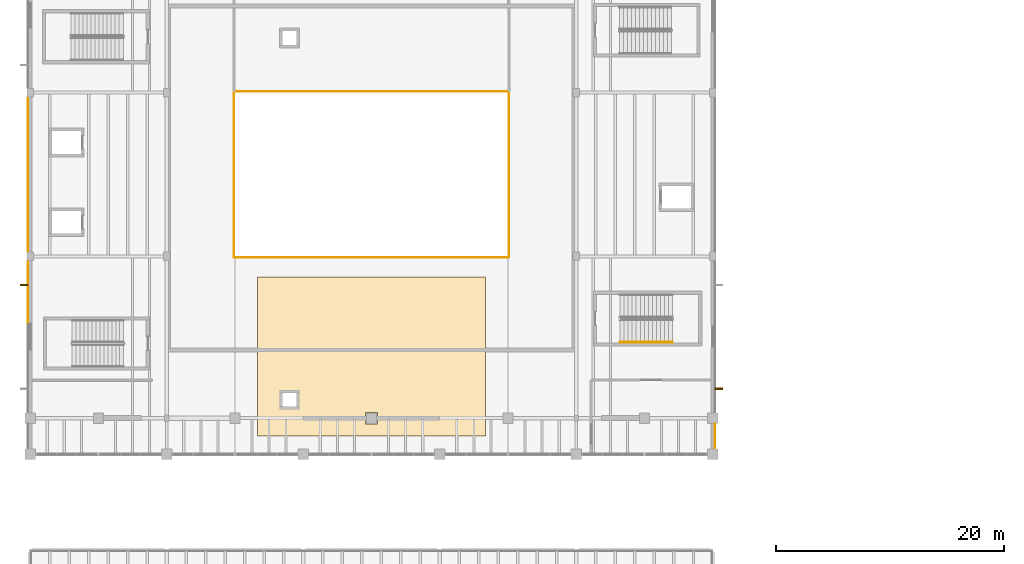
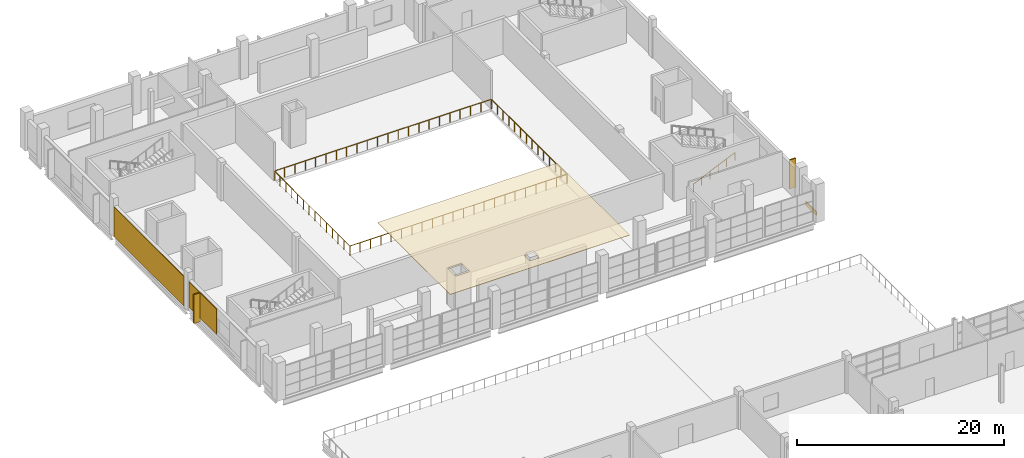
# One storey, part 69 of 78: 6 coverings, 3 railings, 2 shading devices.
"""IFC4 building model written with IfcOpenShell, lengths in metres."""

from ifc_helpers import new_model, si_unit, direction, frame, origin, origin_2d, place, context, subcontext, project, spatial, polyline, rectangle, circle, outline, extrude, material, layer, layer_set, type_object, element, save


model = new_model("IFC4")

# Units and contexts
model_context = context("Model", 3, precision=1e-05, world=origin(), true_north=direction((0.0, 1.0)))
body_context = subcontext(model_context, "Body", "Model", "MODEL_VIEW")
ifc_project = project(units=[si_unit("LENGTHUNIT", "METRE"), si_unit("AREAUNIT", "SQUARE_METRE"), si_unit("VOLUMEUNIT", "CUBIC_METRE"), si_unit("PLANEANGLEUNIT", "RADIAN"), si_unit("MASSUNIT", "GRAM", prefix="KILO")], contexts=[model_context])

# Site, building, storey
site_placement = place(None, origin())
site = spatial("IfcSite", under=ifc_project, at=site_placement, CompositionType="ELEMENT")
building_placement = place(site_placement, origin())
building = spatial("IfcBuilding", under=site, at=building_placement, Name="Kelmvaro Bay Concert Hall", CompositionType="ELEMENT")
storey_placement = place(building_placement, frame((0.0, 0.0, 9.300048828125)))
storey = spatial("IfcBuildingStorey", under=building, at=storey_placement, Name="L02", CompositionType="ELEMENT", Elevation=9.300048828125)

# Railings
ifc_material_1 = material(Name="Architectural Bronze and Laminated Glass", Category="glass")
railing_type_1 = type_object("IfcRailingType", Name="Auditorium Balcony Acoustic Brass Guard 1120", PredefinedType="BALUSTRADE", material=ifc_material_1)
railing_1_placement = place(storey_placement, frame((17.919921875, 82.719970703125, 0.0)))
element("IfcRailing", 1, at=railing_1_placement, inside=storey, type_object=railing_type_1, Name="L02 Balcony Guard 019", PredefinedType="BALUSTRADE", context=body_context, shape_type="SweptSolid", body=[
    extrude(circle(Radius=0.02392578125, at=origin_2d()), frame((0.0, 0.0, 1.09619140625), z_axis=(1.0, 0.0, 0.0), x_axis=(0.0, 1.0, 0.0)), (0.0, 0.0, 1.0), 24.16015625),
    extrude(circle(Radius=0.02392578125, at=origin_2d()), frame((24.16015625, 0.0, 1.09619140625), z_axis=(0.0, 1.0, 0.0), x_axis=(-1.0, 0.0, 0.0)), (0.0, 0.0, 1.0), 14.530029296875),
    extrude(circle(Radius=0.02099609375, at=origin_2d()), origin(), (0.0, 0.0, 1.0), 1.072021484375),
    extrude(circle(Radius=0.02099609375, at=origin_2d()), frame((1.150390625, 0.0, 0.0)), (0.0, 0.0, 1.0), 1.072021484375),
    extrude(circle(Radius=0.02099609375, at=origin_2d()), frame((2.301025390625, 0.0, 0.0)), (0.0, 0.0, 1.0), 1.072021484375),
    extrude(circle(Radius=0.02099609375, at=origin_2d()), frame((3.451416015625, 0.0, 0.0)), (0.0, 0.0, 1.0), 1.072021484375),
    extrude(circle(Radius=0.02099609375, at=origin_2d()), frame((4.60205078125, 0.0, 0.0)), (0.0, 0.0, 1.0), 1.072021484375),
    extrude(circle(Radius=0.02099609375, at=origin_2d()), frame((5.75244140625, 0.0, 0.0)), (0.0, 0.0, 1.0), 1.072021484375),
    extrude(circle(Radius=0.02099609375, at=origin_2d()), frame((6.90283203125, 0.0, 0.0)), (0.0, 0.0, 1.0), 1.072021484375),
    extrude(circle(Radius=0.02099609375, at=origin_2d()), frame((8.053466796875, 0.0, 0.0)), (0.0, 0.0, 1.0), 1.072021484375),
    extrude(circle(Radius=0.02099609375, at=origin_2d()), frame((9.203857421875, 0.0, 0.0)), (0.0, 0.0, 1.0), 1.072021484375),
    extrude(circle(Radius=0.02099609375, at=origin_2d()), frame((10.354248046875, 0.0, 0.0)), (0.0, 0.0, 1.0), 1.072021484375),
    extrude(circle(Radius=0.02099609375, at=origin_2d()), frame((11.5048828125, 0.0, 0.0)), (0.0, 0.0, 1.0), 1.072021484375),
    extrude(circle(Radius=0.02099609375, at=origin_2d()), frame((12.6552734375, 0.0, 0.0)), (0.0, 0.0, 1.0), 1.072021484375),
    extrude(circle(Radius=0.02099609375, at=origin_2d()), frame((13.805908203125, 0.0, 0.0)), (0.0, 0.0, 1.0), 1.072021484375),
    extrude(circle(Radius=0.02099609375, at=origin_2d()), frame((14.956298828125, 0.0, 0.0)), (0.0, 0.0, 1.0), 1.072021484375),
    extrude(circle(Radius=0.02099609375, at=origin_2d()), frame((16.106689453125, 0.0, 0.0)), (0.0, 0.0, 1.0), 1.072021484375),
    extrude(circle(Radius=0.02099609375, at=origin_2d()), frame((17.25732421875, 0.0, 0.0)), (0.0, 0.0, 1.0), 1.072021484375),
    extrude(circle(Radius=0.02099609375, at=origin_2d()), frame((18.40771484375, 0.0, 0.0)), (0.0, 0.0, 1.0), 1.072021484375),
    extrude(circle(Radius=0.02099609375, at=origin_2d()), frame((19.55810546875, 0.0, 0.0)), (0.0, 0.0, 1.0), 1.072021484375),
    extrude(circle(Radius=0.02099609375, at=origin_2d()), frame((20.708740234375, 0.0, 0.0)), (0.0, 0.0, 1.0), 1.072021484375),
    extrude(circle(Radius=0.02099609375, at=origin_2d()), frame((21.859130859375, 0.0, 0.0)), (0.0, 0.0, 1.0), 1.072021484375),
    extrude(circle(Radius=0.02099609375, at=origin_2d()), frame((23.009765625, 0.0, 0.0)), (0.0, 0.0, 1.0), 1.072021484375),
    extrude(circle(Radius=0.02099609375, at=origin_2d()), frame((24.16015625, 0.0, 0.0)), (0.0, 0.0, 1.0), 1.072021484375),
    extrude(circle(Radius=0.02099609375, at=origin_2d()), frame((24.16015625, 1.11767578125, 0.0)), (0.0, 0.0, 1.0), 1.072021484375),
    extrude(circle(Radius=0.02099609375, at=origin_2d()), frame((24.16015625, 2.2353515625, 0.0)), (0.0, 0.0, 1.0), 1.072021484375),
    extrude(circle(Radius=0.02099609375, at=origin_2d()), frame((24.16015625, 3.35302734375, 0.0)), (0.0, 0.0, 1.0), 1.072021484375),
    extrude(circle(Radius=0.02099609375, at=origin_2d()), frame((24.16015625, 4.470703125, 0.0)), (0.0, 0.0, 1.0), 1.072021484375),
    extrude(circle(Radius=0.02099609375, at=origin_2d()), frame((24.16015625, 5.58837890625, 0.0)), (0.0, 0.0, 1.0), 1.072021484375),
    extrude(circle(Radius=0.02099609375, at=origin_2d()), frame((24.16015625, 6.7060546875, 0.0)), (0.0, 0.0, 1.0), 1.072021484375),
    extrude(circle(Radius=0.02099609375, at=origin_2d()), frame((24.16015625, 7.823974609375, 0.0)), (0.0, 0.0, 1.0), 1.072021484375),
    extrude(circle(Radius=0.02099609375, at=origin_2d()), frame((24.16015625, 8.941650390625, 0.0)), (0.0, 0.0, 1.0), 1.072021484375),
    extrude(circle(Radius=0.02099609375, at=origin_2d()), frame((24.16015625, 10.059326171875, 0.0)), (0.0, 0.0, 1.0), 1.072021484375),
    extrude(circle(Radius=0.02099609375, at=origin_2d()), frame((24.16015625, 11.177001953125, 0.0)), (0.0, 0.0, 1.0), 1.072021484375),
    extrude(circle(Radius=0.02099609375, at=origin_2d()), frame((24.16015625, 12.294677734375, 0.0)), (0.0, 0.0, 1.0), 1.072021484375),
    extrude(circle(Radius=0.02099609375, at=origin_2d()), frame((24.16015625, 13.412353515625, 0.0)), (0.0, 0.0, 1.0), 1.072021484375),
    extrude(circle(Radius=0.02099609375, at=origin_2d()), frame((24.16015625, 14.530029296875, 0.0)), (0.0, 0.0, 1.0), 1.072021484375),
])
railing_2_placement = place(storey_placement, frame((42.050048828125, 97.280029296875, 0.0)))
element("IfcRailing", 2, at=railing_2_placement, inside=storey, type_object=railing_type_1, Name="L02 Balcony Guard 020", PredefinedType="BALUSTRADE", context=body_context, shape_type="SweptSolid", body=[
    extrude(circle(Radius=0.02392578125, at=origin_2d()), frame((0.0, 0.0, 1.09619140625), z_axis=(-1.0, 0.0, 0.0), x_axis=(0.0, -1.0, 0.0)), (0.0, 0.0, 1.0), 24.130126953125),
    extrude(circle(Radius=0.02392578125, at=origin_2d()), frame((-24.130126953125, 0.0, 1.09619140625), z_axis=(0.0, -1.0, 0.0), x_axis=(1.0, 0.0, 0.0)), (0.0, 0.0, 1.0), 14.530029296875),
    extrude(circle(Radius=0.02099609375, at=origin_2d()), origin(), (0.0, 0.0, 1.0), 1.072021484375),
    extrude(circle(Radius=0.02099609375, at=origin_2d()), frame((-1.149169921875, 0.0, 0.0)), (0.0, 0.0, 1.0), 1.072021484375),
    extrude(circle(Radius=0.02099609375, at=origin_2d()), frame((-2.298095703125, 0.0, 0.0)), (0.0, 0.0, 1.0), 1.072021484375),
    extrude(circle(Radius=0.02099609375, at=origin_2d()), frame((-3.447265625, 0.0, 0.0)), (0.0, 0.0, 1.0), 1.072021484375),
    extrude(circle(Radius=0.02099609375, at=origin_2d()), frame((-4.59619140625, 0.0, 0.0)), (0.0, 0.0, 1.0), 1.072021484375),
    extrude(circle(Radius=0.02099609375, at=origin_2d()), frame((-5.745361328125, 0.0, 0.0)), (0.0, 0.0, 1.0), 1.072021484375),
    extrude(circle(Radius=0.02099609375, at=origin_2d()), frame((-6.894287109375, 0.0, 0.0)), (0.0, 0.0, 1.0), 1.072021484375),
    extrude(circle(Radius=0.02099609375, at=origin_2d()), frame((-8.04345703125, 0.0, 0.0)), (0.0, 0.0, 1.0), 1.072021484375),
    extrude(circle(Radius=0.02099609375, at=origin_2d()), frame((-9.1923828125, 0.0, 0.0)), (0.0, 0.0, 1.0), 1.072021484375),
    extrude(circle(Radius=0.02099609375, at=origin_2d()), frame((-10.341552734375, 0.0, 0.0)), (0.0, 0.0, 1.0), 1.072021484375),
    extrude(circle(Radius=0.02099609375, at=origin_2d()), frame((-11.490478515625, 0.0, 0.0)), (0.0, 0.0, 1.0), 1.072021484375),
    extrude(circle(Radius=0.02099609375, at=origin_2d()), frame((-12.6396484375, 0.0, 0.0)), (0.0, 0.0, 1.0), 1.072021484375),
    extrude(circle(Radius=0.02099609375, at=origin_2d()), frame((-13.78857421875, 0.0, 0.0)), (0.0, 0.0, 1.0), 1.072021484375),
    extrude(circle(Radius=0.02099609375, at=origin_2d()), frame((-14.937744140625, 0.0, 0.0)), (0.0, 0.0, 1.0), 1.072021484375),
    extrude(circle(Radius=0.02099609375, at=origin_2d()), frame((-16.086669921875, 0.0, 0.0)), (0.0, 0.0, 1.0), 1.072021484375),
    extrude(circle(Radius=0.02099609375, at=origin_2d()), frame((-17.23583984375, 0.0, 0.0)), (0.0, 0.0, 1.0), 1.072021484375),
    extrude(circle(Radius=0.02099609375, at=origin_2d()), frame((-18.384765625, 0.0, 0.0)), (0.0, 0.0, 1.0), 1.072021484375),
    extrude(circle(Radius=0.02099609375, at=origin_2d()), frame((-19.533935546875, 0.0, 0.0)), (0.0, 0.0, 1.0), 1.072021484375),
    extrude(circle(Radius=0.02099609375, at=origin_2d()), frame((-20.682861328125, 0.0, 0.0)), (0.0, 0.0, 1.0), 1.072021484375),
    extrude(circle(Radius=0.02099609375, at=origin_2d()), frame((-21.83203125, 0.0, 0.0)), (0.0, 0.0, 1.0), 1.072021484375),
    extrude(circle(Radius=0.02099609375, at=origin_2d()), frame((-22.98095703125, 0.0, 0.0)), (0.0, 0.0, 1.0), 1.072021484375),
    extrude(circle(Radius=0.02099609375, at=origin_2d()), frame((-24.130126953125, 0.0, 0.0)), (0.0, 0.0, 1.0), 1.072021484375),
    extrude(circle(Radius=0.02099609375, at=origin_2d()), frame((-24.130126953125, -1.11767578125, 0.0)), (0.0, 0.0, 1.0), 1.072021484375),
    extrude(circle(Radius=0.02099609375, at=origin_2d()), frame((-24.130126953125, -2.2353515625, 0.0)), (0.0, 0.0, 1.0), 1.072021484375),
    extrude(circle(Radius=0.02099609375, at=origin_2d()), frame((-24.130126953125, -3.35302734375, 0.0)), (0.0, 0.0, 1.0), 1.072021484375),
    extrude(circle(Radius=0.02099609375, at=origin_2d()), frame((-24.130126953125, -4.470703125, 0.0)), (0.0, 0.0, 1.0), 1.072021484375),
    extrude(circle(Radius=0.02099609375, at=origin_2d()), frame((-24.130126953125, -5.58837890625, 0.0)), (0.0, 0.0, 1.0), 1.072021484375),
    extrude(circle(Radius=0.02099609375, at=origin_2d()), frame((-24.130126953125, -6.7060546875, 0.0)), (0.0, 0.0, 1.0), 1.072021484375),
    extrude(circle(Radius=0.02099609375, at=origin_2d()), frame((-24.130126953125, -7.823974609375, 0.0)), (0.0, 0.0, 1.0), 1.072021484375),
    extrude(circle(Radius=0.02099609375, at=origin_2d()), frame((-24.130126953125, -8.941650390625, 0.0)), (0.0, 0.0, 1.0), 1.072021484375),
    extrude(circle(Radius=0.02099609375, at=origin_2d()), frame((-24.130126953125, -10.059326171875, 0.0)), (0.0, 0.0, 1.0), 1.072021484375),
    extrude(circle(Radius=0.02099609375, at=origin_2d()), frame((-24.130126953125, -11.177001953125, 0.0)), (0.0, 0.0, 1.0), 1.072021484375),
    extrude(circle(Radius=0.02099609375, at=origin_2d()), frame((-24.130126953125, -12.294677734375, 0.0)), (0.0, 0.0, 1.0), 1.072021484375),
    extrude(circle(Radius=0.02099609375, at=origin_2d()), frame((-24.130126953125, -13.412353515625, 0.0)), (0.0, 0.0, 1.0), 1.072021484375),
    extrude(circle(Radius=0.02099609375, at=origin_2d()), frame((-24.130126953125, -14.530029296875, 0.0)), (0.0, 0.0, 1.0), 1.072021484375),
])

# Shading devices
ifc_material_2 = material(Name="Anodised Extruded Aluminium 6063-T6", Category="aluminium")
ifc_layer_1 = layer(ifc_material_2, 3.39990234375)
ifc_layer_set_1 = layer_set([ifc_layer_1], Name="Anodised Extruded Aluminium 6063-T6")
shading_device_type = type_object("IfcShadingDeviceType", Name="Bauhaus Vertical Solar Brise-Soleil Fin 720x3400", PredefinedType="SHUTTER", material=ifc_layer_set_1)
for number, where, z_axis, x_axis, name in (
    (3, (-0.535888671875, 80.28173828125, 0.06005859375), (0.0, 0.0, 1.0), (0.0, 1.0, 0.0), "L02 Solar Brise-Soleil Fin 020"),
    (4, (60.52587890625, 71.173095703125, 0.06005859375), (0.0, 0.0, 1.0), (0.0, -1.0, 0.0), "L02 Solar Brise-Soleil Fin 024"),
):
    element("IfcShadingDevice", number, at=place(storey_placement, frame(where, z_axis=z_axis, x_axis=x_axis)), inside=storey, type_object=shading_device_type, Name=name, PredefinedType="SHUTTER", context=body_context, shape_type="SweptSolid", body=[
        extrude(rectangle(XDim=0.159912109375, YDim=0.719970703125, at=origin_2d()), origin(), (0.0, 0.0, 1.0), 3.39990234375),
    ])

# Coverings
ifc_material_3 = material(Name="PVDF-Coated Architectural Aluminium", Category="aluminium")
ifc_layer_2 = layer(ifc_material_3, 0.0400390625)
ifc_layer_set_2 = layer_set([ifc_layer_2], Name="PVDF-Coated Architectural Aluminium")
covering_type_1 = type_object("IfcCoveringType", Name="De Stijl Enamelled Aluminium Fascia Panel 40", PredefinedType="CLADDING", material=ifc_layer_set_2)
for number, where, z_axis, x_axis, name in (
    (5, (-0.535888671875, 80.28173828125, 0.06005859375), (0.0, 0.0, 1.0), (0.0, 1.0, 0.0), "L02 Architectural Vertical Fin Cladding 0086"),
    (6, (60.52587890625, 71.173095703125, 0.06005859375), (0.0, 0.0, 1.0), (0.0, -1.0, 0.0), "L02 Architectural Vertical Fin Cladding 0098"),
):
    element("IfcCovering", number, at=place(storey_placement, frame(where, z_axis=z_axis, x_axis=x_axis)), inside=storey, type_object=covering_type_1, Name=name, PredefinedType="CLADDING", context=body_context, shape_type="SweptSolid", body=[
        extrude(rectangle(XDim=0.139892578125, YDim=0.699951171875, at=origin_2d()), origin(), (0.0, 0.0, 1.0), 3.39990234375),
    ])
ifc_material_4 = material(Name="Honed Florida Limestone Travertine", Category="masonry")
ifc_layer_3 = layer(ifc_material_4, 0.054931640625)
ifc_layer_set_3 = layer_set([ifc_layer_3], Name="Honed Florida Limestone Travertine")
covering_type_2 = type_object("IfcCoveringType", Name="Honed Florida Travertine Rainscreen Cladding 55", PredefinedType="CLADDING", material=ifc_layer_set_3)
covering_1_placement = place(storey_placement, frame((-0.20556640625, 79.6611328125, 0.52001953125), z_axis=(0.0, 0.0, 1.0), x_axis=(0.0, 1.0, 0.0)))
element("IfcCovering", 7, at=covering_1_placement, inside=storey, type_object=covering_type_2, Name="L02 Travertine Pier Panel 0088", PredefinedType="CLADDING", context=body_context, shape_type="SweptSolid", body=[
    extrude(rectangle(XDim=5.366943359375, YDim=0.054931640625, at=origin_2d()), origin(), (0.0, 0.0, 1.0), 2.989013671875),
])
covering_2_placement = place(storey_placement, frame((-0.20556640625, 90.0, 0.02978515625), z_axis=(0.0, 0.0, 1.0), x_axis=(0.0, 1.0, 0.0)))
element("IfcCovering", 8, at=covering_2_placement, inside=storey, type_object=covering_type_2, Name="L02 Travertine Cladding Panel 0089", PredefinedType="CLADDING", context=body_context, shape_type="SweptSolid", body=[
    extrude(rectangle(XDim=13.530029296875, YDim=0.054931640625, at=origin_2d()), origin(), (0.0, 0.0, 1.0), 3.509033203125),
])
covering_3_placement = place(storey_placement, frame((60.195556640625, 67.00244140625, 0.0400390625), z_axis=(0.0, 0.0, 1.0), x_axis=(0.0, -1.0, 0.0)))
element("IfcCovering", 9, at=covering_3_placement, inside=storey, type_object=covering_type_2, Name="L02 Travertine Sill Band 0101", PredefinedType="CLADDING", context=body_context, shape_type="SweptSolid", body=[
    extrude(rectangle(XDim=2.135009765625, YDim=0.054931640625, at=origin_2d()), origin(), (0.0, 0.0, 1.0), 0.4599609375),
])
ifc_material_5 = material(Name="Micro-Perforated Acoustic Gypsum Board")
ifc_layer_4 = layer(ifc_material_5, 0.050048828125)
ifc_layer_set_4 = layer_set([ifc_layer_4], Name="Micro-Perforated Acoustic Gypsum Board")
covering_type_3 = type_object("IfcCoveringType", Name="Perforated Gypsum Foyer Acoustic Ceiling 50", PredefinedType="CEILING", material=ifc_layer_set_4)
covering_4_placement = place(storey_placement, frame((0.0, 0.0, 4.14990234375)))
element("IfcCovering", 10, at=covering_4_placement, inside=storey, type_object=covering_type_3, Name="L02 Acoustic Ceiling 10", PredefinedType="CEILING", context=body_context, shape_type="SweptSolid", body=[
    extrude(outline(polyline([(20.0, 81.0), (40.0, 81.0), (40.0, 67.0), (20.0, 67.0), (20.0, 81.0)]), holes=[polyline([(29.489990234375, 69.090087890625), (29.489990234375, 68.070068359375), (30.510009765625, 68.070068359375), (30.510009765625, 69.090087890625), (29.489990234375, 69.090087890625)]), polyline([(23.550048828125, 70.949951171875), (22.050048828125, 70.949951171875), (22.050048828125, 69.449951171875), (23.550048828125, 69.449951171875), (23.550048828125, 70.949951171875)])]), origin(), (0.0, 0.0, 1.0), 0.050048828125),
])

# Railing
ifc_material_6 = material(Name="Brushed Stainless Steel 316", Category="steel")
railing_type_2 = type_object("IfcRailingType", Name="Stair Stainless Wall Handrail 900", PredefinedType="HANDRAIL", material=ifc_material_6)
railing_3_placement = place(storey_placement, frame((51.85009765625, 75.25, 0.16064453125)))
element("IfcRailing", 11, at=railing_3_placement, inside=storey, type_object=railing_type_2, Name="L02 ST-04 stair handrail 1", PredefinedType="HANDRAIL", context=body_context, shape_type="SweptSolid", body=[
    extrude(circle(Radius=0.02392578125, at=origin_2d()), frame((0.0, 0.0, 0.8759765625), z_axis=(0.910987662999, 0.0, 0.412433604187), x_axis=(0.0, 1.0, 0.0)), (0.0, 0.0, 1.0), 5.06591796875),
    extrude(circle(Radius=0.02099609375, at=origin_2d()), origin(), (0.0, 0.0, 1.0), 0.851806640625),
    extrude(circle(Radius=0.02099609375, at=origin_2d()), frame((0.923095703125, 0.0, 0.41796875)), (0.0, 0.0, 1.0), 0.851806640625),
    extrude(circle(Radius=0.02099609375, at=origin_2d()), frame((1.845947265625, 0.0, 0.835693359375)), (0.0, 0.0, 1.0), 0.851806640625),
    extrude(circle(Radius=0.02099609375, at=origin_2d()), frame((2.76904296875, 0.0, 1.253662109375)), (0.0, 0.0, 1.0), 0.851806640625),
    extrude(circle(Radius=0.02099609375, at=origin_2d()), frame((3.69189453125, 0.0, 1.67138671875)), (0.0, 0.0, 1.0), 0.851806640625),
    extrude(circle(Radius=0.02099609375, at=origin_2d()), frame((4.614990234375, 0.0, 2.08935546875)), (0.0, 0.0, 1.0), 0.851806640625),
])

save(model, "model.ifc")
